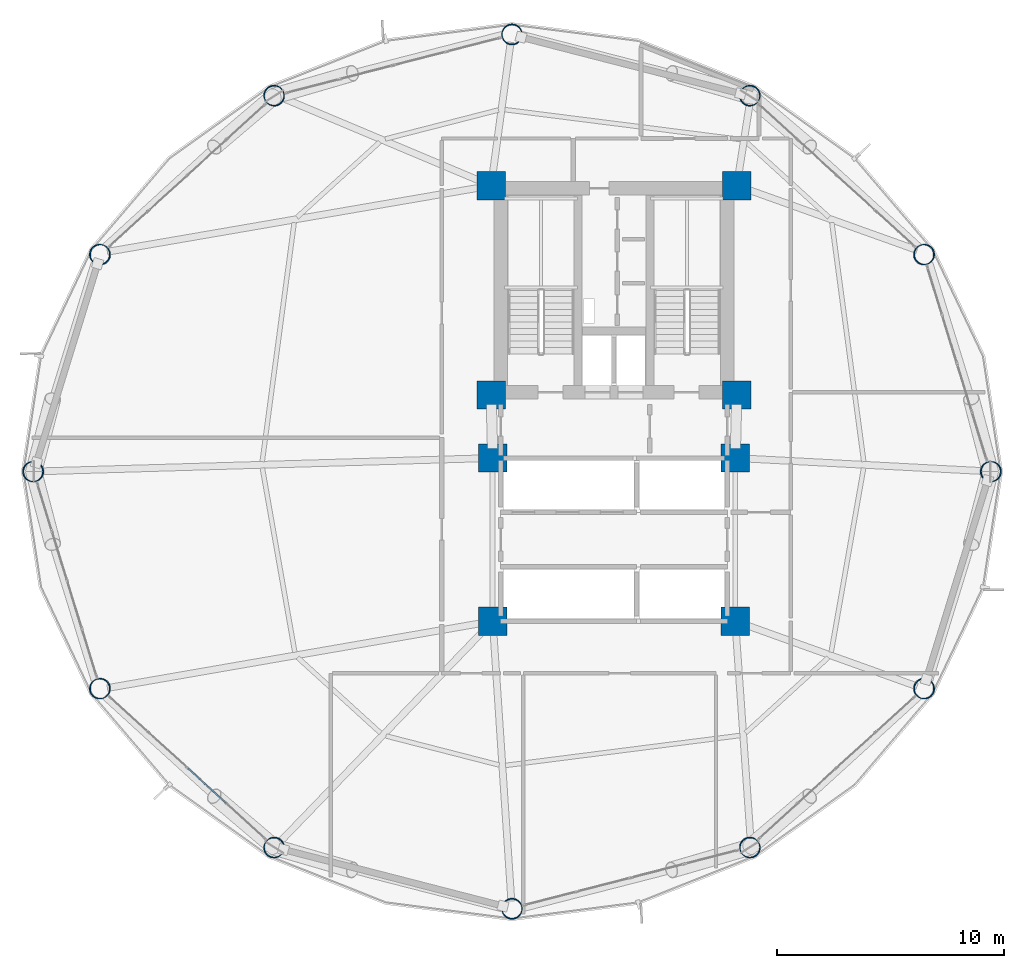
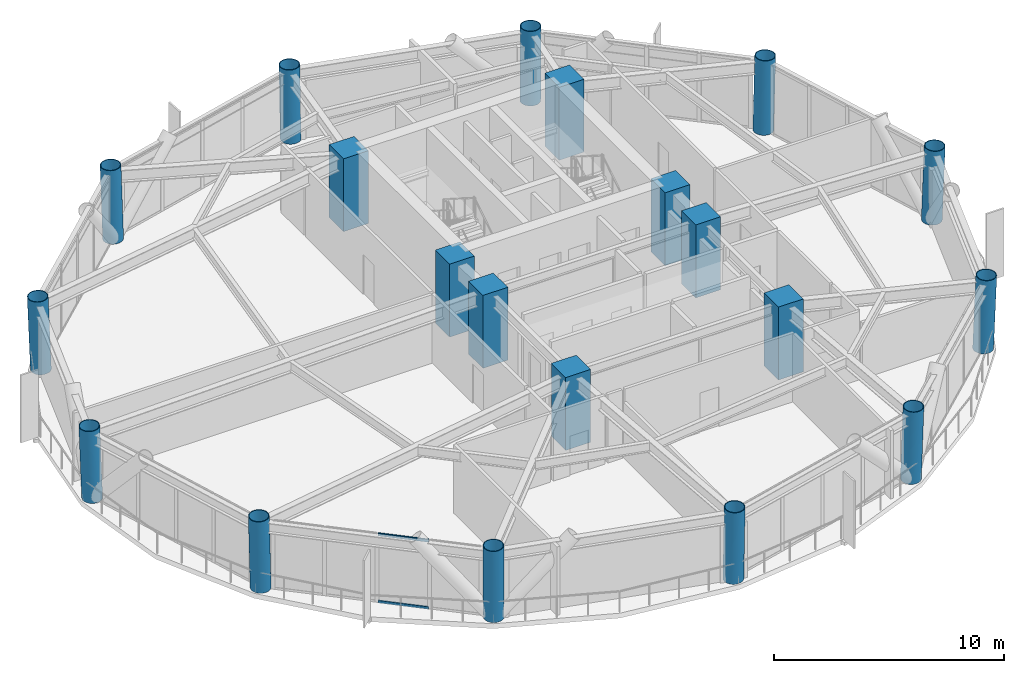
# One storey, part 1 of 26: 20 columns, 2 members, 1 element without a shape of its own.
"""IFC4 building model written with IfcOpenShell, lengths in metres."""

from ifc_helpers import new_model, si_unit, direction, frame, origin, origin_2d, place, context, subcontext, project, spatial, rectangle, hollow_rectangle, hollow_circle, extrude, material, layer, layer_set, material_profile, profile_set, type_object, element, aggregate, save


model = new_model("IFC4")

# Units and contexts
model_context = context("Model", 3, precision=1e-05, world=origin(), true_north=direction((0.0, 1.0)))
body_context = subcontext(model_context, "Body", "Model", "MODEL_VIEW")
ifc_project = project(units=[si_unit("LENGTHUNIT", "METRE"), si_unit("AREAUNIT", "SQUARE_METRE"), si_unit("VOLUMEUNIT", "CUBIC_METRE"), si_unit("PLANEANGLEUNIT", "RADIAN"), si_unit("MASSUNIT", "GRAM", prefix="KILO")], contexts=[model_context])

# Site, building, storey
site_placement = place(None, origin())
site = spatial("IfcSite", under=ifc_project, at=site_placement, CompositionType="ELEMENT")
building_placement = place(site_placement, origin())
building = spatial("IfcBuilding", under=site, at=building_placement, Name="Varnakorn Sky Granary", CompositionType="ELEMENT")
storey_placement = place(building_placement, frame((0.0, 0.0, 51.0)))
storey = spatial("IfcBuildingStorey", under=building, at=storey_placement, Name="L12", CompositionType="ELEMENT", Elevation=51.0)

# Columns
ifc_material_1 = material(Name="Steel S460M", Category="steel")
ifc_material_profile_1 = material_profile(ifc_material_1, hollow_circle(Radius=0.45703125, WallThickness=0.031982421875, at=origin_2d()), Name="CHS 914x32")
ifc_profile_set_1 = profile_set([ifc_material_profile_1], Name="Steel S460M")
column_type_1 = type_object("IfcColumnType", Name="COL-DC-Z1", PredefinedType="COLUMN", material=ifc_profile_set_1)
column_1_placement = place(storey_placement, frame((19.60791015625, 0.0, 0.0), z_axis=(0.037649698668, 0.0, 0.999290998754), x_axis=(0.0, 1.0, 0.0)))
element("IfcColumn", 1, at=column_1_placement, inside=storey, type_object=column_type_1, Name="Drum Perimeter Column DC01 L12", PredefinedType="COLUMN", context=body_context, shape_type="SweptSolid", body=[
    extrude(hollow_circle(Radius=0.45703125, WallThickness=0.031982421875, at=origin_2d()), origin(), (0.0, 0.0, 1.0), 3.877685546875),
])
column_2_placement = place(storey_placement, frame((16.6630859375, 9.569091796875, 0.0), z_axis=(0.032615211628, 0.01467054886, 0.99936030688), x_axis=(-0.410218260947, 0.911987378414, 0.0)))
element("IfcColumn", 2, at=column_2_placement, inside=storey, type_object=column_type_1, Name="Drum Perimeter Column DC02 L12", PredefinedType="COLUMN", context=body_context, shape_type="SweptSolid", body=[
    extrude(hollow_circle(Radius=0.45703125, WallThickness=0.031982421875, at=origin_2d()), origin(), (0.0, 0.0, 1.0), 3.87744140625),
])
column_3_placement = place(storey_placement, frame((8.986572265625, 16.573974609375, 0.0), z_axis=(0.018828767594, 0.025440876615, 0.999498994151), x_axis=(-0.803803843436, 0.594894428682, 0.0)))
element("IfcColumn", 3, at=column_3_placement, inside=storey, type_object=column_type_1, Name="Drum Perimeter Column DC03 L12", PredefinedType="COLUMN", context=body_context, shape_type="SweptSolid", body=[
    extrude(hollow_circle(Radius=0.45703125, WallThickness=0.031982421875, at=origin_2d()), origin(), (0.0, 0.0, 1.0), 3.876953125),
])
column_4_placement = place(storey_placement, frame((-1.5, 19.27294921875, 0.0), z_axis=(0.0, 0.029410155544, 0.999567427816), x_axis=(-1.0, 0.0, 0.0)))
element("IfcColumn", 4, at=column_4_placement, inside=storey, type_object=column_type_1, Name="Drum Perimeter Column DC04 L12", PredefinedType="COLUMN", context=body_context, shape_type="SweptSolid", body=[
    extrude(hollow_circle(Radius=0.45703125, WallThickness=0.031982421875, at=origin_2d()), origin(), (0.0, 0.0, 1.0), 3.876708984375),
])
column_5_placement = place(storey_placement, frame((-11.986572265625, 16.573974609375, 0.0), z_axis=(-0.018828767594, 0.025440876615, 0.999498994151), x_axis=(-0.803803843436, -0.594894428682, 0.0)))
element("IfcColumn", 5, at=column_5_placement, inside=storey, type_object=column_type_1, Name="Drum Perimeter Column DC05 L12", PredefinedType="COLUMN", context=body_context, shape_type="SweptSolid", body=[
    extrude(hollow_circle(Radius=0.45703125, WallThickness=0.031982421875, at=origin_2d()), origin(), (0.0, 0.0, 1.0), 3.876953125),
])
column_6_placement = place(storey_placement, frame((-19.6630859375, 9.569091796875, 0.0), z_axis=(-0.032615211628, 0.01467054886, 0.99936030688), x_axis=(-0.410218260947, -0.911987378414, 0.0)))
element("IfcColumn", 6, at=column_6_placement, inside=storey, type_object=column_type_1, Name="Drum Perimeter Column DC06 L12", PredefinedType="COLUMN", context=body_context, shape_type="SweptSolid", body=[
    extrude(hollow_circle(Radius=0.45703125, WallThickness=0.031982421875, at=origin_2d()), origin(), (0.0, 0.0, 1.0), 3.87744140625),
])
column_7_placement = place(storey_placement, frame((-22.60791015625, 0.0, 0.0), z_axis=(-0.037649698668, 0.0, 0.999290998754), x_axis=(0.0, -1.0, 0.0)))
element("IfcColumn", 7, at=column_7_placement, inside=storey, type_object=column_type_1, Name="Drum Perimeter Column DC07 L12", PredefinedType="COLUMN", context=body_context, shape_type="SweptSolid", body=[
    extrude(hollow_circle(Radius=0.45703125, WallThickness=0.031982421875, at=origin_2d()), origin(), (0.0, 0.0, 1.0), 3.877685546875),
])
column_8_placement = place(storey_placement, frame((-19.6630859375, -9.569091796875, 0.0), z_axis=(-0.032615211628, -0.01467054886, 0.99936030688), x_axis=(0.410218260947, -0.911987378414, 0.0)))
element("IfcColumn", 8, at=column_8_placement, inside=storey, type_object=column_type_1, Name="Drum Perimeter Column DC08 L12", PredefinedType="COLUMN", context=body_context, shape_type="SweptSolid", body=[
    extrude(hollow_circle(Radius=0.45703125, WallThickness=0.031982421875, at=origin_2d()), origin(), (0.0, 0.0, 1.0), 3.87744140625),
])
column_9_placement = place(storey_placement, frame((-11.986572265625, -16.573974609375, 0.0), z_axis=(-0.018828767594, -0.025440876615, 0.999498994151), x_axis=(0.803803843436, -0.594894428682, 0.0)))
element("IfcColumn", 9, at=column_9_placement, inside=storey, type_object=column_type_1, Name="Drum Perimeter Column DC09 L12", PredefinedType="COLUMN", context=body_context, shape_type="SweptSolid", body=[
    extrude(hollow_circle(Radius=0.45703125, WallThickness=0.031982421875, at=origin_2d()), origin(), (0.0, 0.0, 1.0), 3.876953125),
])
column_10_placement = place(storey_placement, frame((-1.5, -19.27294921875, 0.0), z_axis=(0.0, -0.029410155544, 0.999567427816), x_axis=(1.0, 0.0, 0.0)))
element("IfcColumn", 10, at=column_10_placement, inside=storey, type_object=column_type_1, Name="Drum Perimeter Column DC10 L12", PredefinedType="COLUMN", context=body_context, shape_type="SweptSolid", body=[
    extrude(hollow_circle(Radius=0.45703125, WallThickness=0.031982421875, at=origin_2d()), origin(), (0.0, 0.0, 1.0), 3.876708984375),
])
column_11_placement = place(storey_placement, frame((8.986572265625, -16.573974609375, 0.0), z_axis=(0.018828767594, -0.025440876615, 0.999498994151), x_axis=(0.803803843436, 0.594894428682, 0.0)))
element("IfcColumn", 11, at=column_11_placement, inside=storey, type_object=column_type_1, Name="Drum Perimeter Column DC11 L12", PredefinedType="COLUMN", context=body_context, shape_type="SweptSolid", body=[
    extrude(hollow_circle(Radius=0.45703125, WallThickness=0.031982421875, at=origin_2d()), origin(), (0.0, 0.0, 1.0), 3.876953125),
])
column_12_placement = place(storey_placement, frame((16.6630859375, -9.569091796875, 0.0), z_axis=(0.032615211628, -0.01467054886, 0.99936030688), x_axis=(0.410218260947, 0.911987378414, 0.0)))
element("IfcColumn", 12, at=column_12_placement, inside=storey, type_object=column_type_1, Name="Drum Perimeter Column DC12 L12", PredefinedType="COLUMN", context=body_context, shape_type="SweptSolid", body=[
    extrude(hollow_circle(Radius=0.45703125, WallThickness=0.031982421875, at=origin_2d()), origin(), (0.0, 0.0, 1.0), 3.87744140625),
])
ifc_material_2 = material(Name="Concrete C60/75", Category="concrete")
ifc_material_profile_2 = material_profile(ifc_material_2, rectangle(XDim=1.25, YDim=1.25, at=origin_2d()), Name="RC 1250x1250")
ifc_profile_set_2 = profile_set([ifc_material_profile_2], Name="Concrete C60/75")
column_type_2 = type_object("IfcColumnType", Name="COL-MC-Z1", PredefinedType="COLUMN", material=ifc_profile_set_2)
for number, where, z_axis, x_axis, name in (
    (13, (-2.419921875, 12.6201171875, 0.0), (0.0, 0.0, 1.0), (1.0, 0.0, 0.0), "Backbone Mega-Column MC1 L12"),
    (14, (8.419921875, 12.6201171875, 0.0), (0.0, 0.0, 1.0), (1.0, 0.0, 0.0), "Backbone Mega-Column MC2 L12"),
    (15, (-2.419921875, 3.3798828125, 0.0), (0.0, 0.0, 1.0), (1.0, 0.0, 0.0), "Backbone Mega-Column MC3 L12"),
    (16, (8.419921875, 3.3798828125, 0.0), (0.0, 0.0, 1.0), (1.0, 0.0, 0.0), "Backbone Mega-Column MC4 L12"),
    (17, (-2.35009765625, 0.60009765625, 0.0), (0.0, 0.0, 1.0), (1.0, 0.0, 0.0), "Backbone Mega-Column MC5 L12"),
    (18, (8.35009765625, 0.60009765625, 0.0), (0.0, 0.0, 1.0), (1.0, 0.0, 0.0), "Backbone Mega-Column MC6 L12"),
    (19, (-2.35009765625, -6.60009765625, 0.0), (0.0, 0.0, 1.0), (1.0, 0.0, 0.0), "Backbone Mega-Column MC7 L12"),
    (20, (8.35009765625, -6.60009765625, 0.0), (0.0, 0.0, 1.0), (1.0, 0.0, 0.0), "Backbone Mega-Column MC8 L12"),
):
    element("IfcColumn", number, at=place(storey_placement, frame(where, z_axis=z_axis, x_axis=x_axis)), inside=storey, type_object=column_type_2, Name=name, PredefinedType="COLUMN", context=body_context, shape_type="SweptSolid", body=[
        extrude(rectangle(XDim=1.25, YDim=1.25, at=origin_2d()), origin(), (0.0, 0.0, 1.0), 3.875),
    ])

# Curtain wall, members
ifc_material_3 = material(Name="Anodised Bronze Aluminium Alloy 6063-T6", Category="aluminium")
ifc_layer = layer(ifc_material_3, 0.18994140625, Name="Anodised Bronze Aluminium Alloy 6063-T6")
ifc_layer_set = layer_set([ifc_layer], Name="Anodised Bronze Aluminium Alloy 6063-T6")
curtain_wall_type = type_object("IfcCurtainWallType", Name="CW-FRM-1", PredefinedType="USERDEFINED", material=ifc_layer_set)
curtain_wall_placement = place(storey_placement, origin())
curtain_wall = element("IfcCurtainWall", 21, at=curtain_wall_placement, inside=storey, type_object=curtain_wall_type, Name="Unitised Curtain Wall CW3 CW-L12-B08", ObjectType="CURTAIN WALL", PredefinedType="USERDEFINED")
ifc_material_profile_3 = material_profile(ifc_material_3, hollow_rectangle(XDim=0.070068359375, YDim=0.139892578125, WallThickness=0.00341796875, at=origin_2d()), Name="ALU TRAN 70x140")
ifc_profile_set_3 = profile_set([ifc_material_profile_3], Name="Anodised Bronze Aluminium Alloy 6063-T6")
member_type = type_object("IfcMemberType", Name="CW-FRM-1-TRAN", PredefinedType="USERDEFINED", material=ifc_profile_set_3)
member_1_placement = place(storey_placement, frame((-14.12255859375, -14.625, 0.034912109375), z_axis=(-0.738639168697, 0.674101015032, 0.0), x_axis=(-0.674101015032, -0.738639168697, 0.0)))
member_1 = element("IfcMember", 22, at=member_1_placement, type_object=member_type, Name="CW3 transom 2.1", ObjectType="TRANSOM", PredefinedType="USERDEFINED", context=body_context, shape_type="SweptSolid", body=[
    extrude(hollow_rectangle(XDim=0.070068359375, YDim=0.139892578125, WallThickness=0.00341796875, at=origin_2d()), origin(), (0.0, 0.0, 1.0), 2.269775390625),
])
member_2_placement = place(storey_placement, frame((-14.12255859375, -14.625, 3.60498046875), z_axis=(-0.738639168697, 0.674101015032, 0.0), x_axis=(-0.674101015032, -0.738639168697, 0.0)))
member_2 = element("IfcMember", 23, at=member_2_placement, type_object=member_type, Name="CW3 transom 2.2", ObjectType="TRANSOM", PredefinedType="USERDEFINED", context=body_context, shape_type="SweptSolid", body=[
    extrude(hollow_rectangle(XDim=0.070068359375, YDim=0.139892578125, WallThickness=0.00341796875, at=origin_2d()), origin(), (0.0, 0.0, 1.0), 2.269775390625),
])
aggregate(curtain_wall, [member_1, member_2])

save(model, "model.ifc")
